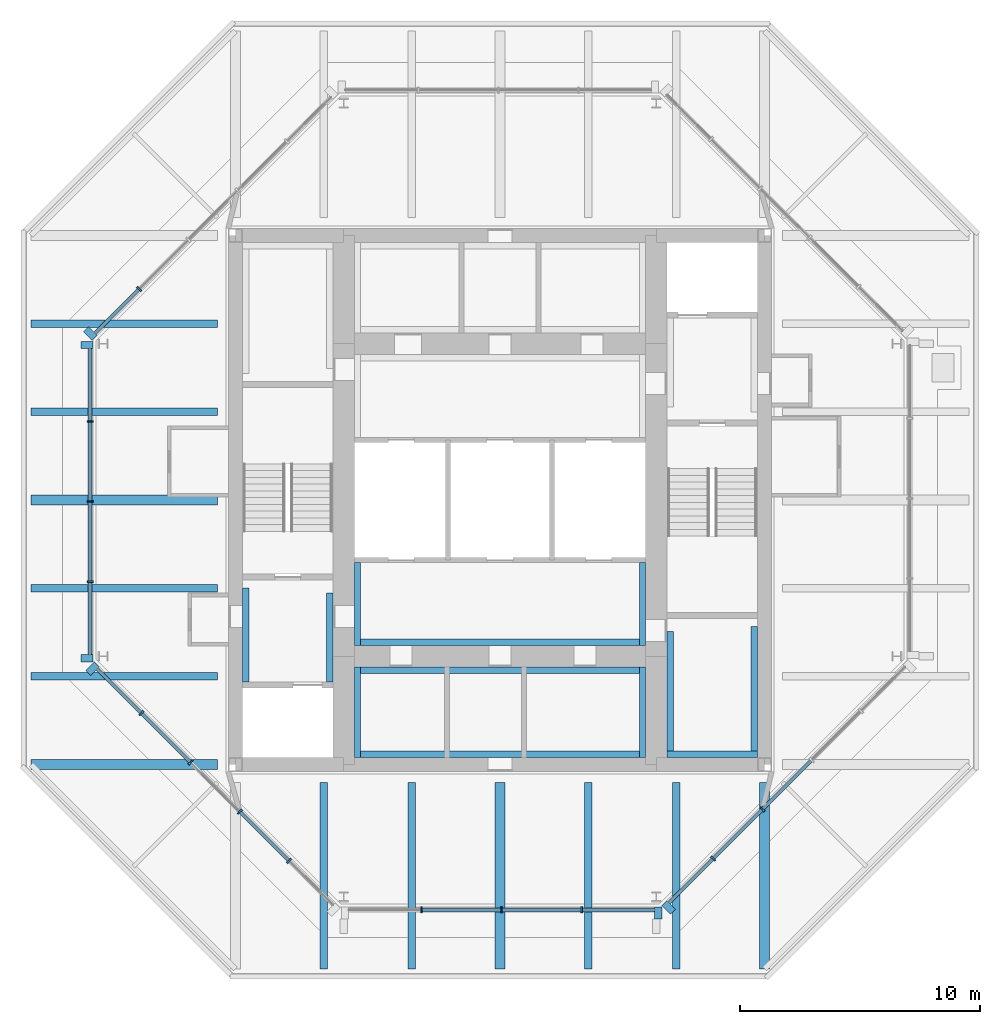
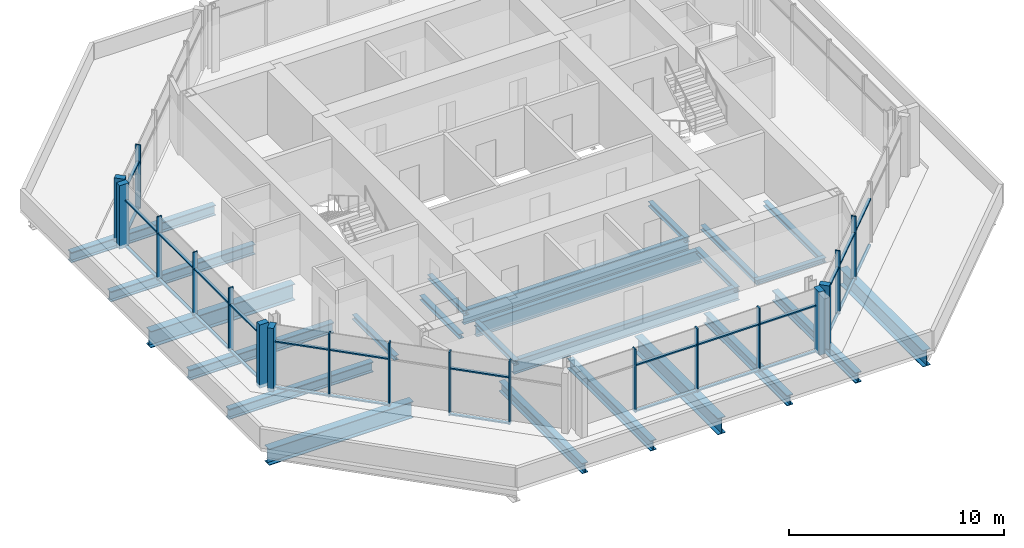
# One storey, part 2 of 10: 47 members, 24 beams, 5 elements without a shape of their own.
"""IFC4 building model written with IfcOpenShell, lengths in metres."""

from ifc_helpers import new_model, si_unit, direction, frame, origin, origin_2d, place, context, subcontext, project, spatial, rectangle, i_section, extrude, material, material_profile, profile_set, type_object, element, aggregate, save


model = new_model("IFC4")

# Units and contexts
model_context = context("Model", 3, precision=1e-05, world=origin(), true_north=direction((0.0, 1.0)))
body_context = subcontext(model_context, "Body", "Model", "MODEL_VIEW")
ifc_project = project(units=[si_unit("LENGTHUNIT", "METRE"), si_unit("AREAUNIT", "SQUARE_METRE"), si_unit("VOLUMEUNIT", "CUBIC_METRE"), si_unit("PLANEANGLEUNIT", "RADIAN"), si_unit("MASSUNIT", "GRAM", prefix="KILO")], contexts=[model_context])

# Site, building, storey
site_placement = place(None, origin())
site = spatial("IfcSite", under=ifc_project, at=site_placement, CompositionType="ELEMENT")
building_placement = place(site_placement, origin())
building = spatial("IfcBuilding", under=site, at=building_placement, Name="Trevanion Tower", CompositionType="ELEMENT")
storey_placement = place(building_placement, frame((0.0, 0.0, 263.199951171875)))
storey = spatial("IfcBuildingStorey", under=building, at=storey_placement, Name="L64", CompositionType="ELEMENT", Elevation=263.199951171875)

# Beams
ifc_material_1 = material(Name="Steel ASTM A992 Grade 50", Category="steel")
ifc_material_profile_1 = material_profile(ifc_material_1, i_section(OverallWidth=0.320068359375, OverallDepth=0.584228515625, WebThickness=0.023193359375, FlangeThickness=0.04150390625, at=origin_2d()), Name="W21X201")
ifc_profile_set_1 = profile_set([ifc_material_profile_1], Name="Steel ASTM A992 Grade 50")
beam_type_1 = type_object("IfcBeamType", Name="B13 W21X201", PredefinedType="BEAM", material=ifc_profile_set_1)
for number, where, z_axis, x_axis, name in (
    (1, (-11.75, 7.333251953125, -0.48193359375), (-1.0, 0.0, 0.0), (0.0, -1.0, 0.0), "B13 L64"),
    (2, (-11.75, 3.666748046875, -0.48193359375), (-1.0, 0.0, 0.0), (0.0, -1.0, 0.0), "B13 L64"),
    (3, (-11.75, -3.666748046875, -0.48193359375), (-1.0, 0.0, 0.0), (0.0, -1.0, 0.0), "B13 L64"),
    (4, (-11.75, -7.333251953125, -0.48193359375), (-1.0, 0.0, 0.0), (0.0, -1.0, 0.0), "B13 L64"),
    (5, (-7.333251953125, -11.75, -0.48193359375), (0.0, -1.0, 0.0), (1.0, 0.0, 0.0), "B13 L64"),
    (6, (-3.666748046875, -11.75, -0.48193359375), (0.0, -1.0, 0.0), (1.0, 0.0, 0.0), "B13 L64"),
    (7, (3.666748046875, -11.75, -0.48193359375), (0.0, -1.0, 0.0), (1.0, 0.0, 0.0), "B13 L64"),
    (8, (7.333251953125, -11.75, -0.48193359375), (0.0, -1.0, 0.0), (1.0, 0.0, 0.0), "B13 L64"),
):
    element("IfcBeam", number, at=place(storey_placement, frame(where, z_axis=z_axis, x_axis=x_axis)), inside=storey, type_object=beam_type_1, Name=name, PredefinedType="BEAM", context=body_context, shape_type="SweptSolid", body=[
        extrude(i_section(OverallWidth=0.320068359375, OverallDepth=0.584228515625, WebThickness=0.023193359375, FlangeThickness=0.04150390625, at=origin_2d()), origin(), (0.0, 0.0, 1.0), 7.75),
    ])

# Curtain wall, member
ifc_material_2 = material(Name="Aluminium and glass", Category="aluminium")
curtain_wall_type = type_object("IfcCurtainWallType", Name="CW4 curtain wall", PredefinedType="USERDEFINED", material=ifc_material_2)
curtain_wall_1_placement = place(storey_placement, origin())
curtain_wall_1 = element("IfcCurtainWall", 9, at=curtain_wall_1_placement, inside=storey, type_object=curtain_wall_type, Name="CW4 L64 3", ObjectType="UNITISED CURTAIN WALL", PredefinedType="USERDEFINED")
ifc_material_3 = material(Name="Aluminium extrusion, anodised bronze", Category="aluminium")
ifc_material_profile_2 = material_profile(ifc_material_3, rectangle(XDim=0.074951171875, YDim=0.25, at=origin_2d()), Name="CW4 mullion")
ifc_profile_set_2 = profile_set([ifc_material_profile_2], Name="Aluminium extrusion, anodised bronze")
member_type_1 = type_object("IfcMemberType", Name="CW4 mullion", PredefinedType="MULLION", material=ifc_profile_set_2)
member_1_placement = place(storey_placement, frame((-15.00390625, 8.77392578125, -0.18994140625), z_axis=(0.0, 0.0, 1.0), x_axis=(-0.707106781187, -0.707106781187, 0.0)))
member_1 = element("IfcMember", 10, at=member_1_placement, type_object=member_type_1, Name="CW4 mullion 5", PredefinedType="MULLION", context=body_context, shape_type="SweptSolid", body=[
    extrude(rectangle(XDim=0.074951171875, YDim=0.25, at=origin_2d()), origin(), (0.0, 0.0, 1.0), 3.60009765625),
])

# Curtain wall, members
curtain_wall_2_placement = place(storey_placement, origin())
curtain_wall_2 = element("IfcCurtainWall", 11, at=curtain_wall_2_placement, inside=storey, type_object=curtain_wall_type, Name="CW4 L64 4", ObjectType="UNITISED CURTAIN WALL", PredefinedType="USERDEFINED")
member_2_placement = place(storey_placement, frame((-17.050048828125, 3.266357421875, -0.18994140625), z_axis=(0.0, 0.0, 1.0), x_axis=(0.0, -1.0, 0.0)))
member_2 = element("IfcMember", 12, at=member_2_placement, type_object=member_type_1, Name="CW4 mullion 2", PredefinedType="MULLION", context=body_context, shape_type="SweptSolid", body=[
    extrude(rectangle(XDim=0.074951171875, YDim=0.25, at=origin_2d()), origin(), (0.0, 0.0, 1.0), 3.60009765625),
])
member_3_placement = place(storey_placement, frame((-17.050048828125, -0.06494140625, -0.18994140625), z_axis=(0.0, 0.0, 1.0), x_axis=(0.0, -1.0, 0.0)))
member_3 = element("IfcMember", 13, at=member_3_placement, type_object=member_type_1, Name="CW4 mullion 3", PredefinedType="MULLION", context=body_context, shape_type="SweptSolid", body=[
    extrude(rectangle(XDim=0.074951171875, YDim=0.25, at=origin_2d()), origin(), (0.0, 0.0, 1.0), 3.60009765625),
])
member_4_placement = place(storey_placement, frame((-17.050048828125, -3.396484375, -0.18994140625), z_axis=(0.0, 0.0, 1.0), x_axis=(0.0, -1.0, 0.0)))
member_4 = element("IfcMember", 14, at=member_4_placement, type_object=member_type_1, Name="CW4 mullion 4", PredefinedType="MULLION", context=body_context, shape_type="SweptSolid", body=[
    extrude(rectangle(XDim=0.074951171875, YDim=0.25, at=origin_2d()), origin(), (0.0, 0.0, 1.0), 3.60009765625),
])

curtain_wall_3_placement = place(storey_placement, origin())
curtain_wall_3 = element("IfcCurtainWall", 15, at=curtain_wall_3_placement, inside=storey, type_object=curtain_wall_type, Name="CW4 L64 5", ObjectType="UNITISED CURTAIN WALL", PredefinedType="USERDEFINED")
member_5_placement = place(storey_placement, frame((-14.912109375, -8.86572265625, -0.18994140625), z_axis=(0.0, 0.0, 1.0), x_axis=(0.707106781187, -0.707106781187, 0.0)))
member_5 = element("IfcMember", 16, at=member_5_placement, type_object=member_type_1, Name="CW4 mullion 2", PredefinedType="MULLION", context=body_context, shape_type="SweptSolid", body=[
    extrude(rectangle(XDim=0.074951171875, YDim=0.25, at=origin_2d()), origin(), (0.0, 0.0, 1.0), 3.60009765625),
])
member_6_placement = place(storey_placement, frame((-12.865966796875, -10.911865234375, -0.18994140625), z_axis=(0.0, 0.0, 1.0), x_axis=(0.707106781187, -0.707106781187, 0.0)))
member_6 = element("IfcMember", 17, at=member_6_placement, type_object=member_type_1, Name="CW4 mullion 3", PredefinedType="MULLION", context=body_context, shape_type="SweptSolid", body=[
    extrude(rectangle(XDim=0.074951171875, YDim=0.25, at=origin_2d()), origin(), (0.0, 0.0, 1.0), 3.60009765625),
])
member_7_placement = place(storey_placement, frame((-10.81982421875, -12.9580078125, -0.18994140625), z_axis=(0.0, 0.0, 1.0), x_axis=(0.707106781187, -0.707106781187, 0.0)))
member_7 = element("IfcMember", 18, at=member_7_placement, type_object=member_type_1, Name="CW4 mullion 4", PredefinedType="MULLION", context=body_context, shape_type="SweptSolid", body=[
    extrude(rectangle(XDim=0.074951171875, YDim=0.25, at=origin_2d()), origin(), (0.0, 0.0, 1.0), 3.60009765625),
])
member_8_placement = place(storey_placement, frame((-8.77392578125, -15.00390625, -0.18994140625), z_axis=(0.0, 0.0, 1.0), x_axis=(0.707106781187, -0.707106781187, 0.0)))
member_8 = element("IfcMember", 19, at=member_8_placement, type_object=member_type_1, Name="CW4 mullion 5", PredefinedType="MULLION", context=body_context, shape_type="SweptSolid", body=[
    extrude(rectangle(XDim=0.074951171875, YDim=0.25, at=origin_2d()), origin(), (0.0, 0.0, 1.0), 3.60009765625),
])

curtain_wall_4_placement = place(storey_placement, origin())
curtain_wall_4 = element("IfcCurtainWall", 20, at=curtain_wall_4_placement, inside=storey, type_object=curtain_wall_type, Name="CW4 L64 6", ObjectType="UNITISED CURTAIN WALL", PredefinedType="USERDEFINED")
member_9_placement = place(storey_placement, frame((-3.266357421875, -17.050048828125, -0.18994140625), z_axis=(0.0, 0.0, 1.0), x_axis=(1.0, 0.0, 0.0)))
member_9 = element("IfcMember", 21, at=member_9_placement, type_object=member_type_1, Name="CW4 mullion 2", PredefinedType="MULLION", context=body_context, shape_type="SweptSolid", body=[
    extrude(rectangle(XDim=0.074951171875, YDim=0.25, at=origin_2d()), origin(), (0.0, 0.0, 1.0), 3.60009765625),
])
member_10_placement = place(storey_placement, frame((0.06494140625, -17.050048828125, -0.18994140625), z_axis=(0.0, 0.0, 1.0), x_axis=(1.0, 0.0, 0.0)))
member_10 = element("IfcMember", 22, at=member_10_placement, type_object=member_type_1, Name="CW4 mullion 3", PredefinedType="MULLION", context=body_context, shape_type="SweptSolid", body=[
    extrude(rectangle(XDim=0.074951171875, YDim=0.25, at=origin_2d()), origin(), (0.0, 0.0, 1.0), 3.60009765625),
])
member_11_placement = place(storey_placement, frame((3.396484375, -17.050048828125, -0.18994140625), z_axis=(0.0, 0.0, 1.0), x_axis=(1.0, 0.0, 0.0)))
member_11 = element("IfcMember", 23, at=member_11_placement, type_object=member_type_1, Name="CW4 mullion 4", PredefinedType="MULLION", context=body_context, shape_type="SweptSolid", body=[
    extrude(rectangle(XDim=0.074951171875, YDim=0.25, at=origin_2d()), origin(), (0.0, 0.0, 1.0), 3.60009765625),
])

curtain_wall_5_placement = place(storey_placement, origin())
curtain_wall_5 = element("IfcCurtainWall", 24, at=curtain_wall_5_placement, inside=storey, type_object=curtain_wall_type, Name="CW4 L64 7", ObjectType="UNITISED CURTAIN WALL", PredefinedType="USERDEFINED")
member_12_placement = place(storey_placement, frame((8.86572265625, -14.912109375, -0.18994140625), z_axis=(0.0, 0.0, 1.0), x_axis=(0.707106781187, 0.707106781187, 0.0)))
member_12 = element("IfcMember", 25, at=member_12_placement, type_object=member_type_1, Name="CW4 mullion 2", PredefinedType="MULLION", context=body_context, shape_type="SweptSolid", body=[
    extrude(rectangle(XDim=0.074951171875, YDim=0.25, at=origin_2d()), origin(), (0.0, 0.0, 1.0), 3.60009765625),
])
member_13_placement = place(storey_placement, frame((10.911865234375, -12.865966796875, -0.18994140625), z_axis=(0.0, 0.0, 1.0), x_axis=(0.707106781187, 0.707106781187, 0.0)))
member_13 = element("IfcMember", 26, at=member_13_placement, type_object=member_type_1, Name="CW4 mullion 3", PredefinedType="MULLION", context=body_context, shape_type="SweptSolid", body=[
    extrude(rectangle(XDim=0.074951171875, YDim=0.25, at=origin_2d()), origin(), (0.0, 0.0, 1.0), 3.60009765625),
])

# Member
ifc_material_4 = material(Name="Aluminium extrusion, anodised bronze", Category="aluminium")
ifc_material_profile_3 = material_profile(ifc_material_4, rectangle(XDim=0.300048828125, YDim=0.5, at=origin_2d()), Name="CW4 pier mullion")
ifc_profile_set_3 = profile_set([ifc_material_profile_3], Name="Aluminium extrusion, anodised bronze")
member_type_2 = type_object("IfcMemberType", Name="CW4 pier mullion", PredefinedType="MULLION", material=ifc_profile_set_3)
member_14_placement = place(storey_placement, frame((-17.0322265625, 6.92236328125, -0.18994140625), z_axis=(0.0, 0.0, 1.0), x_axis=(-0.707106781187, -0.707106781187, 0.0)))
member_14 = element("IfcMember", 27, at=member_14_placement, type_object=member_type_2, Name="CW4 pier mullion 6", PredefinedType="MULLION", context=body_context, shape_type="SweptSolid", body=[
    extrude(rectangle(XDim=0.300048828125, YDim=0.5, at=origin_2d()), origin(), (0.0, 0.0, 1.0), 3.60009765625),
])

member_15_placement = place(storey_placement, frame((-17.175048828125, 6.44775390625, -0.18994140625), z_axis=(0.0, 0.0, 1.0), x_axis=(0.0, -1.0, 0.0)))
member_15 = element("IfcMember", 28, at=member_15_placement, type_object=member_type_2, Name="CW4 pier mullion 1", PredefinedType="MULLION", context=body_context, shape_type="SweptSolid", body=[
    extrude(rectangle(XDim=0.300048828125, YDim=0.5, at=origin_2d()), origin(), (0.0, 0.0, 1.0), 3.60009765625),
])

member_16_placement = place(storey_placement, frame((-17.175048828125, -6.577880859375, -0.18994140625), z_axis=(0.0, 0.0, 1.0), x_axis=(0.0, -1.0, 0.0)))
member_16 = element("IfcMember", 29, at=member_16_placement, type_object=member_type_2, Name="CW4 pier mullion 5", PredefinedType="MULLION", context=body_context, shape_type="SweptSolid", body=[
    extrude(rectangle(XDim=0.300048828125, YDim=0.5, at=origin_2d()), origin(), (0.0, 0.0, 1.0), 3.60009765625),
])

member_17_placement = place(storey_placement, frame((-16.9404296875, -7.01416015625, -0.18994140625), z_axis=(0.0, 0.0, 1.0), x_axis=(0.707106781187, -0.707106781187, 0.0)))
member_17 = element("IfcMember", 30, at=member_17_placement, type_object=member_type_2, Name="CW4 pier mullion 1", PredefinedType="MULLION", context=body_context, shape_type="SweptSolid", body=[
    extrude(rectangle(XDim=0.300048828125, YDim=0.5, at=origin_2d()), origin(), (0.0, 0.0, 1.0), 3.60009765625),
])

member_18_placement = place(storey_placement, frame((6.577880859375, -17.175048828125, -0.18994140625), z_axis=(0.0, 0.0, 1.0), x_axis=(1.0, 0.0, 0.0)))
member_18 = element("IfcMember", 31, at=member_18_placement, type_object=member_type_2, Name="CW4 pier mullion 5", PredefinedType="MULLION", context=body_context, shape_type="SweptSolid", body=[
    extrude(rectangle(XDim=0.300048828125, YDim=0.5, at=origin_2d()), origin(), (0.0, 0.0, 1.0), 3.60009765625),
])

member_19_placement = place(storey_placement, frame((7.01416015625, -16.9404296875, -0.18994140625), z_axis=(0.0, 0.0, 1.0), x_axis=(0.707106781187, 0.707106781187, 0.0)))
member_19 = element("IfcMember", 32, at=member_19_placement, type_object=member_type_2, Name="CW4 pier mullion 1", PredefinedType="MULLION", context=body_context, shape_type="SweptSolid", body=[
    extrude(rectangle(XDim=0.300048828125, YDim=0.5, at=origin_2d()), origin(), (0.0, 0.0, 1.0), 3.60009765625),
])

ifc_material_5 = material(Name="Aluminium extrusion, anodised bronze", Category="aluminium")
ifc_material_profile_4 = material_profile(ifc_material_5, rectangle(XDim=0.14990234375, YDim=0.074951171875, at=origin_2d()), Name="CW4 transom")
ifc_profile_set_4 = profile_set([ifc_material_profile_4], Name="Aluminium extrusion, anodised bronze")
member_type_3 = type_object("IfcMemberType", Name="CW4 transom", PredefinedType="USERDEFINED", material=ifc_profile_set_4)
member_20_placement = place(storey_placement, frame((-15.030517578125, 8.747314453125, -0.15234375), z_axis=(-0.707106781187, -0.707106781187, 0.0), x_axis=(0.707106781187, -0.707106781187, 0.0)))
member_20 = element("IfcMember", 33, at=member_20_placement, type_object=member_type_3, Name="CW4 transom 5.1", ObjectType="TRANSOM", PredefinedType="USERDEFINED", context=body_context, shape_type="SweptSolid", body=[
    extrude(rectangle(XDim=0.14990234375, YDim=0.074951171875, at=origin_2d()), origin(), (0.0, 0.0, 1.0), 2.555908203125),
])

member_21_placement = place(storey_placement, frame((-15.030517578125, 8.747314453125, 2.4599609375), z_axis=(-0.707106781187, -0.707106781187, 0.0), x_axis=(0.707106781187, -0.707106781187, 0.0)))
member_21 = element("IfcMember", 34, at=member_21_placement, type_object=member_type_3, Name="CW4 transom 5.2", ObjectType="TRANSOM", PredefinedType="USERDEFINED", context=body_context, shape_type="SweptSolid", body=[
    extrude(rectangle(XDim=0.14990234375, YDim=0.074951171875, at=origin_2d()), origin(), (0.0, 0.0, 1.0), 2.555908203125),
])

aggregate(curtain_wall_1, [member_1, member_14, member_20, member_21])

member_22_placement = place(storey_placement, frame((-17.050048828125, 6.2978515625, -0.15234375), z_axis=(0.0, -1.0, 0.0), x_axis=(1.0, 0.0, 0.0)))
member_22 = element("IfcMember", 35, at=member_22_placement, type_object=member_type_3, Name="CW4 transom 1.1", ObjectType="TRANSOM", PredefinedType="USERDEFINED", context=body_context, shape_type="SweptSolid", body=[
    extrude(rectangle(XDim=0.14990234375, YDim=0.074951171875, at=origin_2d()), origin(), (0.0, 0.0, 1.0), 2.993896484375),
])

member_23_placement = place(storey_placement, frame((-17.050048828125, 6.2978515625, 2.4599609375), z_axis=(0.0, -1.0, 0.0), x_axis=(1.0, 0.0, 0.0)))
member_23 = element("IfcMember", 36, at=member_23_placement, type_object=member_type_3, Name="CW4 transom 1.2", ObjectType="TRANSOM", PredefinedType="USERDEFINED", context=body_context, shape_type="SweptSolid", body=[
    extrude(rectangle(XDim=0.14990234375, YDim=0.074951171875, at=origin_2d()), origin(), (0.0, 0.0, 1.0), 2.993896484375),
])

member_24_placement = place(storey_placement, frame((-17.050048828125, 3.22900390625, -0.15234375), z_axis=(0.0, -1.0, 0.0), x_axis=(1.0, 0.0, 0.0)))
member_24 = element("IfcMember", 37, at=member_24_placement, type_object=member_type_3, Name="CW4 transom 2.1", ObjectType="TRANSOM", PredefinedType="USERDEFINED", context=body_context, shape_type="SweptSolid", body=[
    extrude(rectangle(XDim=0.14990234375, YDim=0.074951171875, at=origin_2d()), origin(), (0.0, 0.0, 1.0), 3.256591796875),
])

member_25_placement = place(storey_placement, frame((-17.050048828125, 3.22900390625, 2.4599609375), z_axis=(0.0, -1.0, 0.0), x_axis=(1.0, 0.0, 0.0)))
member_25 = element("IfcMember", 38, at=member_25_placement, type_object=member_type_3, Name="CW4 transom 2.2", ObjectType="TRANSOM", PredefinedType="USERDEFINED", context=body_context, shape_type="SweptSolid", body=[
    extrude(rectangle(XDim=0.14990234375, YDim=0.074951171875, at=origin_2d()), origin(), (0.0, 0.0, 1.0), 3.256591796875),
])

member_26_placement = place(storey_placement, frame((-17.050048828125, -0.1025390625, -0.15234375), z_axis=(0.0, -1.0, 0.0), x_axis=(1.0, 0.0, 0.0)))
member_26 = element("IfcMember", 39, at=member_26_placement, type_object=member_type_3, Name="CW4 transom 3.1", ObjectType="TRANSOM", PredefinedType="USERDEFINED", context=body_context, shape_type="SweptSolid", body=[
    extrude(rectangle(XDim=0.14990234375, YDim=0.074951171875, at=origin_2d()), origin(), (0.0, 0.0, 1.0), 3.25634765625),
])

member_27_placement = place(storey_placement, frame((-17.050048828125, -0.1025390625, 2.4599609375), z_axis=(0.0, -1.0, 0.0), x_axis=(1.0, 0.0, 0.0)))
member_27 = element("IfcMember", 40, at=member_27_placement, type_object=member_type_3, Name="CW4 transom 3.2", ObjectType="TRANSOM", PredefinedType="USERDEFINED", context=body_context, shape_type="SweptSolid", body=[
    extrude(rectangle(XDim=0.14990234375, YDim=0.074951171875, at=origin_2d()), origin(), (0.0, 0.0, 1.0), 3.25634765625),
])

member_28_placement = place(storey_placement, frame((-17.050048828125, -3.433837890625, -0.15234375), z_axis=(0.0, -1.0, 0.0), x_axis=(1.0, 0.0, 0.0)))
member_28 = element("IfcMember", 41, at=member_28_placement, type_object=member_type_3, Name="CW4 transom 4.1", ObjectType="TRANSOM", PredefinedType="USERDEFINED", context=body_context, shape_type="SweptSolid", body=[
    extrude(rectangle(XDim=0.14990234375, YDim=0.074951171875, at=origin_2d()), origin(), (0.0, 0.0, 1.0), 2.993896484375),
])

member_29_placement = place(storey_placement, frame((-17.050048828125, -3.433837890625, 2.4599609375), z_axis=(0.0, -1.0, 0.0), x_axis=(1.0, 0.0, 0.0)))
member_29 = element("IfcMember", 42, at=member_29_placement, type_object=member_type_3, Name="CW4 transom 4.2", ObjectType="TRANSOM", PredefinedType="USERDEFINED", context=body_context, shape_type="SweptSolid", body=[
    extrude(rectangle(XDim=0.14990234375, YDim=0.074951171875, at=origin_2d()), origin(), (0.0, 0.0, 1.0), 2.993896484375),
])

aggregate(curtain_wall_2, [member_15, member_2, member_3, member_4, member_16, member_22, member_23, member_24, member_25, member_26, member_27, member_28, member_29])

member_30_placement = place(storey_placement, frame((-16.745849609375, -7.031982421875, -0.15234375), z_axis=(0.707106781187, -0.707106781187, 0.0), x_axis=(0.707106781187, 0.707106781187, 0.0)))
member_30 = element("IfcMember", 43, at=member_30_placement, type_object=member_type_3, Name="CW4 transom 1.1", ObjectType="TRANSOM", PredefinedType="USERDEFINED", context=body_context, shape_type="SweptSolid", body=[
    extrude(rectangle(XDim=0.14990234375, YDim=0.074951171875, at=origin_2d()), origin(), (0.0, 0.0, 1.0), 2.555908203125),
])

member_31_placement = place(storey_placement, frame((-16.745849609375, -7.031982421875, 2.4599609375), z_axis=(0.707106781187, -0.707106781187, 0.0), x_axis=(0.707106781187, 0.707106781187, 0.0)))
member_31 = element("IfcMember", 44, at=member_31_placement, type_object=member_type_3, Name="CW4 transom 1.2", ObjectType="TRANSOM", PredefinedType="USERDEFINED", context=body_context, shape_type="SweptSolid", body=[
    extrude(rectangle(XDim=0.14990234375, YDim=0.074951171875, at=origin_2d()), origin(), (0.0, 0.0, 1.0), 2.555908203125),
])

member_32_placement = place(storey_placement, frame((-14.885498046875, -8.892333984375, -0.15234375), z_axis=(0.707106781187, -0.707106781187, 0.0), x_axis=(0.707106781187, 0.707106781187, 0.0)))
member_32 = element("IfcMember", 45, at=member_32_placement, type_object=member_type_3, Name="CW4 transom 2.1", ObjectType="TRANSOM", PredefinedType="USERDEFINED", context=body_context, shape_type="SweptSolid", body=[
    extrude(rectangle(XDim=0.14990234375, YDim=0.074951171875, at=origin_2d()), origin(), (0.0, 0.0, 1.0), 2.818359375),
])

member_33_placement = place(storey_placement, frame((-14.885498046875, -8.892333984375, 2.4599609375), z_axis=(0.707106781187, -0.707106781187, 0.0), x_axis=(0.707106781187, 0.707106781187, 0.0)))
member_33 = element("IfcMember", 46, at=member_33_placement, type_object=member_type_3, Name="CW4 transom 2.2", ObjectType="TRANSOM", PredefinedType="USERDEFINED", context=body_context, shape_type="SweptSolid", body=[
    extrude(rectangle(XDim=0.14990234375, YDim=0.074951171875, at=origin_2d()), origin(), (0.0, 0.0, 1.0), 2.818359375),
])

member_34_placement = place(storey_placement, frame((-10.79345703125, -12.984375, -0.15234375), z_axis=(0.707150088905, -0.707063470815, 0.0), x_axis=(0.707063470815, 0.707150088905, 0.0)))
member_34 = element("IfcMember", 47, at=member_34_placement, type_object=member_type_3, Name="CW4 transom 4.1", ObjectType="TRANSOM", PredefinedType="USERDEFINED", context=body_context, shape_type="SweptSolid", body=[
    extrude(rectangle(XDim=0.14990234375, YDim=0.074951171875, at=origin_2d()), origin(), (0.0, 0.0, 1.0), 2.818603515625),
])

member_35_placement = place(storey_placement, frame((-10.79345703125, -12.984375, 2.4599609375), z_axis=(0.707150088905, -0.707063470815, 0.0), x_axis=(0.707063470815, 0.707150088905, 0.0)))
member_35 = element("IfcMember", 48, at=member_35_placement, type_object=member_type_3, Name="CW4 transom 4.2", ObjectType="TRANSOM", PredefinedType="USERDEFINED", context=body_context, shape_type="SweptSolid", body=[
    extrude(rectangle(XDim=0.14990234375, YDim=0.074951171875, at=origin_2d()), origin(), (0.0, 0.0, 1.0), 2.818603515625),
])

aggregate(curtain_wall_3, [member_17, member_5, member_6, member_7, member_8, member_30, member_31, member_32, member_33, member_34, member_35])

member_36_placement = place(storey_placement, frame((-3.22900390625, -17.050048828125, -0.15234375), z_axis=(1.0, 0.0, 0.0), x_axis=(0.0, 1.0, 0.0)))
member_36 = element("IfcMember", 49, at=member_36_placement, type_object=member_type_3, Name="CW4 transom 2.1", ObjectType="TRANSOM", PredefinedType="USERDEFINED", context=body_context, shape_type="SweptSolid", body=[
    extrude(rectangle(XDim=0.14990234375, YDim=0.074951171875, at=origin_2d()), origin(), (0.0, 0.0, 1.0), 3.256591796875),
])

member_37_placement = place(storey_placement, frame((-3.22900390625, -17.050048828125, 2.4599609375), z_axis=(1.0, 0.0, 0.0), x_axis=(0.0, 1.0, 0.0)))
member_37 = element("IfcMember", 50, at=member_37_placement, type_object=member_type_3, Name="CW4 transom 2.2", ObjectType="TRANSOM", PredefinedType="USERDEFINED", context=body_context, shape_type="SweptSolid", body=[
    extrude(rectangle(XDim=0.14990234375, YDim=0.074951171875, at=origin_2d()), origin(), (0.0, 0.0, 1.0), 3.256591796875),
])

member_38_placement = place(storey_placement, frame((0.1025390625, -17.050048828125, -0.15234375), z_axis=(1.0, 0.0, 0.0), x_axis=(0.0, 1.0, 0.0)))
member_38 = element("IfcMember", 51, at=member_38_placement, type_object=member_type_3, Name="CW4 transom 3.1", ObjectType="TRANSOM", PredefinedType="USERDEFINED", context=body_context, shape_type="SweptSolid", body=[
    extrude(rectangle(XDim=0.14990234375, YDim=0.074951171875, at=origin_2d()), origin(), (0.0, 0.0, 1.0), 3.25634765625),
])

member_39_placement = place(storey_placement, frame((0.1025390625, -17.050048828125, 2.4599609375), z_axis=(1.0, 0.0, 0.0), x_axis=(0.0, 1.0, 0.0)))
member_39 = element("IfcMember", 52, at=member_39_placement, type_object=member_type_3, Name="CW4 transom 3.2", ObjectType="TRANSOM", PredefinedType="USERDEFINED", context=body_context, shape_type="SweptSolid", body=[
    extrude(rectangle(XDim=0.14990234375, YDim=0.074951171875, at=origin_2d()), origin(), (0.0, 0.0, 1.0), 3.25634765625),
])

member_40_placement = place(storey_placement, frame((3.433837890625, -17.050048828125, -0.15234375), z_axis=(1.0, 0.0, 0.0), x_axis=(0.0, 1.0, 0.0)))
member_40 = element("IfcMember", 53, at=member_40_placement, type_object=member_type_3, Name="CW4 transom 4.1", ObjectType="TRANSOM", PredefinedType="USERDEFINED", context=body_context, shape_type="SweptSolid", body=[
    extrude(rectangle(XDim=0.14990234375, YDim=0.074951171875, at=origin_2d()), origin(), (0.0, 0.0, 1.0), 2.993896484375),
])

member_41_placement = place(storey_placement, frame((3.433837890625, -17.050048828125, 2.4599609375), z_axis=(1.0, 0.0, 0.0), x_axis=(0.0, 1.0, 0.0)))
member_41 = element("IfcMember", 54, at=member_41_placement, type_object=member_type_3, Name="CW4 transom 4.2", ObjectType="TRANSOM", PredefinedType="USERDEFINED", context=body_context, shape_type="SweptSolid", body=[
    extrude(rectangle(XDim=0.14990234375, YDim=0.074951171875, at=origin_2d()), origin(), (0.0, 0.0, 1.0), 2.993896484375),
])

aggregate(curtain_wall_4, [member_9, member_10, member_11, member_18, member_36, member_37, member_38, member_39, member_40, member_41])

member_42_placement = place(storey_placement, frame((7.031982421875, -16.745849609375, -0.15234375), z_axis=(0.707106781187, 0.707106781187, 0.0), x_axis=(-0.707106781187, 0.707106781187, 0.0)))
member_42 = element("IfcMember", 55, at=member_42_placement, type_object=member_type_3, Name="CW4 transom 1.1", ObjectType="TRANSOM", PredefinedType="USERDEFINED", context=body_context, shape_type="SweptSolid", body=[
    extrude(rectangle(XDim=0.14990234375, YDim=0.074951171875, at=origin_2d()), origin(), (0.0, 0.0, 1.0), 2.555908203125),
])

member_43_placement = place(storey_placement, frame((7.031982421875, -16.745849609375, 2.4599609375), z_axis=(0.707106781187, 0.707106781187, 0.0), x_axis=(-0.707106781187, 0.707106781187, 0.0)))
member_43 = element("IfcMember", 56, at=member_43_placement, type_object=member_type_3, Name="CW4 transom 1.2", ObjectType="TRANSOM", PredefinedType="USERDEFINED", context=body_context, shape_type="SweptSolid", body=[
    extrude(rectangle(XDim=0.14990234375, YDim=0.074951171875, at=origin_2d()), origin(), (0.0, 0.0, 1.0), 2.555908203125),
])

member_44_placement = place(storey_placement, frame((8.892333984375, -14.885498046875, -0.15234375), z_axis=(0.707106781187, 0.707106781187, 0.0), x_axis=(-0.707106781187, 0.707106781187, 0.0)))
member_44 = element("IfcMember", 57, at=member_44_placement, type_object=member_type_3, Name="CW4 transom 2.1", ObjectType="TRANSOM", PredefinedType="USERDEFINED", context=body_context, shape_type="SweptSolid", body=[
    extrude(rectangle(XDim=0.14990234375, YDim=0.074951171875, at=origin_2d()), origin(), (0.0, 0.0, 1.0), 2.818359375),
])

member_45_placement = place(storey_placement, frame((8.892333984375, -14.885498046875, 2.4599609375), z_axis=(0.707106781187, 0.707106781187, 0.0), x_axis=(-0.707106781187, 0.707106781187, 0.0)))
member_45 = element("IfcMember", 58, at=member_45_placement, type_object=member_type_3, Name="CW4 transom 2.2", ObjectType="TRANSOM", PredefinedType="USERDEFINED", context=body_context, shape_type="SweptSolid", body=[
    extrude(rectangle(XDim=0.14990234375, YDim=0.074951171875, at=origin_2d()), origin(), (0.0, 0.0, 1.0), 2.818359375),
])

member_46_placement = place(storey_placement, frame((10.9384765625, -12.839599609375, -0.15234375), z_axis=(0.707063470815, 0.707150088905, 0.0), x_axis=(-0.707150088905, 0.707063470815, 0.0)))
member_46 = element("IfcMember", 59, at=member_46_placement, type_object=member_type_3, Name="CW4 transom 3.1", ObjectType="TRANSOM", PredefinedType="USERDEFINED", context=body_context, shape_type="SweptSolid", body=[
    extrude(rectangle(XDim=0.14990234375, YDim=0.074951171875, at=origin_2d()), origin(), (0.0, 0.0, 1.0), 2.818603515625),
])

member_47_placement = place(storey_placement, frame((10.9384765625, -12.839599609375, 2.4599609375), z_axis=(0.707063470815, 0.707150088905, 0.0), x_axis=(-0.707150088905, 0.707063470815, 0.0)))
member_47 = element("IfcMember", 60, at=member_47_placement, type_object=member_type_3, Name="CW4 transom 3.2", ObjectType="TRANSOM", PredefinedType="USERDEFINED", context=body_context, shape_type="SweptSolid", body=[
    extrude(rectangle(XDim=0.14990234375, YDim=0.074951171875, at=origin_2d()), origin(), (0.0, 0.0, 1.0), 2.818603515625),
])

aggregate(curtain_wall_5, [member_19, member_12, member_13, member_42, member_43, member_44, member_45, member_46, member_47])

# Beams
ifc_material_6 = material(Name="Steel ASTM A992 Grade 50", Category="steel")
ifc_material_profile_5 = material_profile(ifc_material_6, i_section(OverallWidth=0.419189453125, OverallDepth=0.927001953125, WebThickness=0.019287109375, FlangeThickness=0.031982421875, at=origin_2d()), Name="W36X231")
ifc_profile_set_5 = profile_set([ifc_material_profile_5], Name="Steel ASTM A992 Grade 50")
beam_type_2 = type_object("IfcBeamType", Name="G7 W36X231", PredefinedType="BEAM", material=ifc_profile_set_5)
for number, where, z_axis, x_axis, name in (
    (61, (-11.75, 0.0, -0.653564453125), (-1.0, 0.0, 0.0), (0.0, -1.0, 0.0), "G7 L64"),
    (62, (-11.75, -11.0, -0.653564453125), (-1.0, 0.0, 0.0), (0.0, -1.0, 0.0), "G7 L64"),
    (63, (0.0, -11.75, -0.653564453125), (0.0, -1.0, 0.0), (1.0, 0.0, 0.0), "G7 L64"),
    (64, (11.0, -11.75, -0.653564453125), (0.0, -1.0, 0.0), (1.0, 0.0, 0.0), "G7 L64"),
):
    element("IfcBeam", number, at=place(storey_placement, frame(where, z_axis=z_axis, x_axis=x_axis)), inside=storey, type_object=beam_type_2, Name=name, PredefinedType="BEAM", context=body_context, shape_type="SweptSolid", body=[
        extrude(i_section(OverallWidth=0.419189453125, OverallDepth=0.927001953125, WebThickness=0.019287109375, FlangeThickness=0.031982421875, at=origin_2d()), origin(), (0.0, 0.0, 1.0), 7.75),
    ])
ifc_material_7 = material(Name="Steel ASTM A992 Grade 50", Category="steel")
ifc_material_profile_6 = material_profile(ifc_material_7, i_section(OverallWidth=0.256591796875, OverallDepth=0.26416015625, WebThickness=0.011962890625, FlangeThickness=0.01953125, at=origin_2d()), Name="W10X68")
ifc_profile_set_6 = profile_set([ifc_material_profile_6], Name="Steel ASTM A992 Grade 50")
beam_type_3 = type_object("IfcBeamType", Name="LB1 W10X68", PredefinedType="BEAM", material=ifc_profile_set_6)
for number, where, z_axis, x_axis, name in (
    (65, (-5.921630859375, -6.050048828125, -0.33203125), (0.0, 1.0, 0.0), (-1.0, 0.0, 0.0), "LB1 L64"),
    (66, (5.921630859375, -6.050048828125, -0.33203125), (0.0, 1.0, 0.0), (-1.0, 0.0, 0.0), "LB1 L64"),
):
    element("IfcBeam", number, at=place(storey_placement, frame(where, z_axis=z_axis, x_axis=x_axis)), inside=storey, type_object=beam_type_3, Name=name, PredefinedType="BEAM", context=body_context, shape_type="SweptSolid", body=[
        extrude(i_section(OverallWidth=0.256591796875, OverallDepth=0.26416015625, WebThickness=0.011962890625, FlangeThickness=0.01953125, at=origin_2d()), origin(), (0.0, 0.0, 1.0), 3.449951171875),
    ])
beam_1_placement = place(storey_placement, frame((-10.57177734375, -7.574951171875, -0.33203125), z_axis=(0.0, 1.0, 0.0), x_axis=(-1.0, 0.0, 0.0)))
element("IfcBeam", 67, at=beam_1_placement, inside=storey, type_object=beam_type_3, Name="LB1 L64", PredefinedType="BEAM", context=body_context, shape_type="SweptSolid", body=[
    extrude(i_section(OverallWidth=0.256591796875, OverallDepth=0.26416015625, WebThickness=0.011962890625, FlangeThickness=0.01953125, at=origin_2d()), origin(), (0.0, 0.0, 1.0), 3.920166015625),
])
beam_2_placement = place(storey_placement, frame((-7.078369140625, -7.574951171875, -0.33203125), z_axis=(0.0, 1.0, 0.0), x_axis=(-1.0, 0.0, 0.0)))
element("IfcBeam", 68, at=beam_2_placement, inside=storey, type_object=beam_type_3, Name="LB1 L64", PredefinedType="BEAM", context=body_context, shape_type="SweptSolid", body=[
    extrude(i_section(OverallWidth=0.256591796875, OverallDepth=0.26416015625, WebThickness=0.011962890625, FlangeThickness=0.01953125, at=origin_2d()), origin(), (0.0, 0.0, 1.0), 3.699951171875),
])
beam_3_placement = place(storey_placement, frame((7.078369140625, -10.699951171875, -0.33203125), z_axis=(0.0, 1.0, 0.0), x_axis=(-1.0, 0.0, 0.0)))
element("IfcBeam", 69, at=beam_3_placement, inside=storey, type_object=beam_type_3, Name="LB1 L64", PredefinedType="BEAM", context=body_context, shape_type="SweptSolid", body=[
    extrude(i_section(OverallWidth=0.256591796875, OverallDepth=0.26416015625, WebThickness=0.011962890625, FlangeThickness=0.01953125, at=origin_2d()), origin(), (0.0, 0.0, 1.0), 5.224853515625),
])
beam_4_placement = place(storey_placement, frame((10.57177734375, -10.699951171875, -0.33203125), z_axis=(0.0, 1.0, 0.0), x_axis=(-1.0, 0.0, 0.0)))
element("IfcBeam", 70, at=beam_4_placement, inside=storey, type_object=beam_type_3, Name="LB1 L64", PredefinedType="BEAM", context=body_context, shape_type="SweptSolid", body=[
    extrude(i_section(OverallWidth=0.256591796875, OverallDepth=0.26416015625, WebThickness=0.011962890625, FlangeThickness=0.01953125, at=origin_2d()), origin(), (0.0, 0.0, 1.0), 5.445068359375),
])
for number, where, z_axis, x_axis, name in (
    (71, (6.949951171875, -10.57177734375, -0.33203125), (1.0, 0.0, 0.0), (0.0, 1.0, 0.0), "LB1 L64"),
    (72, (-5.921630859375, -10.699951171875, -0.33203125), (0.0, 1.0, 0.0), (-1.0, 0.0, 0.0), "LB1 L64"),
    (73, (5.921630859375, -10.699951171875, -0.33203125), (0.0, 1.0, 0.0), (-1.0, 0.0, 0.0), "LB1 L64"),
):
    element("IfcBeam", number, at=place(storey_placement, frame(where, z_axis=z_axis, x_axis=x_axis)), inside=storey, type_object=beam_type_3, Name=name, PredefinedType="BEAM", context=body_context, shape_type="SweptSolid", body=[
        extrude(i_section(OverallWidth=0.256591796875, OverallDepth=0.26416015625, WebThickness=0.011962890625, FlangeThickness=0.01953125, at=origin_2d()), origin(), (0.0, 0.0, 1.0), 3.75),
    ])
ifc_material_8 = material(Name="Steel ASTM A992 Grade 50", Category="steel")
ifc_material_profile_7 = material_profile(ifc_material_8, i_section(OverallWidth=0.2666015625, OverallDepth=0.76953125, WebThickness=0.015625, FlangeThickness=0.025390625, at=origin_2d()), Name="W30X132")
ifc_profile_set_7 = profile_set([ifc_material_profile_7], Name="Steel ASTM A992 Grade 50")
beam_type_4 = type_object("IfcBeamType", Name="LB3 W30X132", PredefinedType="BEAM", material=ifc_profile_set_7)
for number, where, z_axis, x_axis, name in (
    (74, (-6.050048828125, -5.91650390625, -0.584716796875), (1.0, 0.0, 0.0), (0.0, 1.0, 0.0), "LB3 L64"),
    (75, (-6.050048828125, -10.566650390625, -0.584716796875), (1.0, 0.0, 0.0), (0.0, 1.0, 0.0), "LB3 L64"),
    (76, (-6.050048828125, -7.08349609375, -0.584716796875), (1.0, 0.0, 0.0), (0.0, 1.0, 0.0), "LB3 L64"),
):
    element("IfcBeam", number, at=place(storey_placement, frame(where, z_axis=z_axis, x_axis=x_axis)), inside=storey, type_object=beam_type_4, Name=name, PredefinedType="BEAM", context=body_context, shape_type="SweptSolid", body=[
        extrude(i_section(OverallWidth=0.2666015625, OverallDepth=0.76953125, WebThickness=0.015625, FlangeThickness=0.025390625, at=origin_2d()), origin(), (0.0, 0.0, 1.0), 12.10009765625),
    ])

save(model, "model.ifc")
